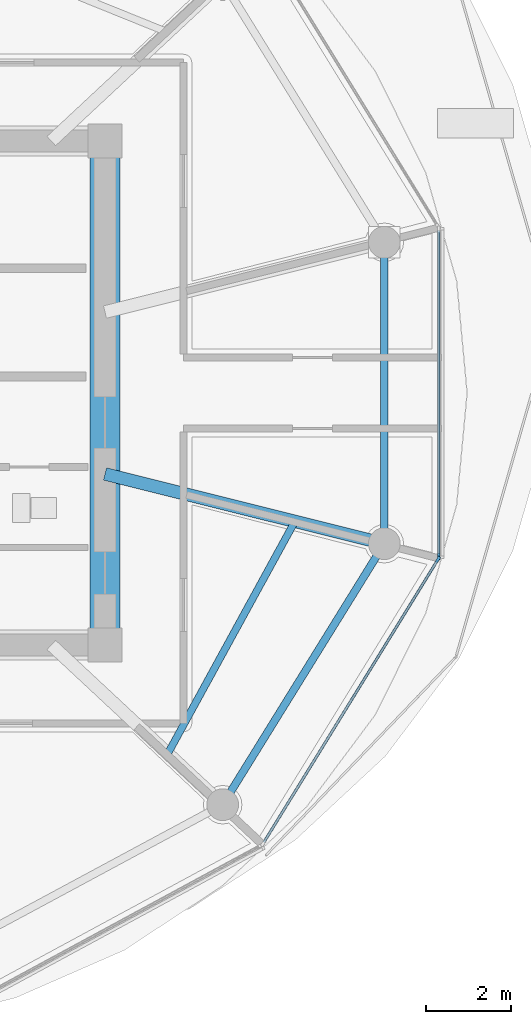
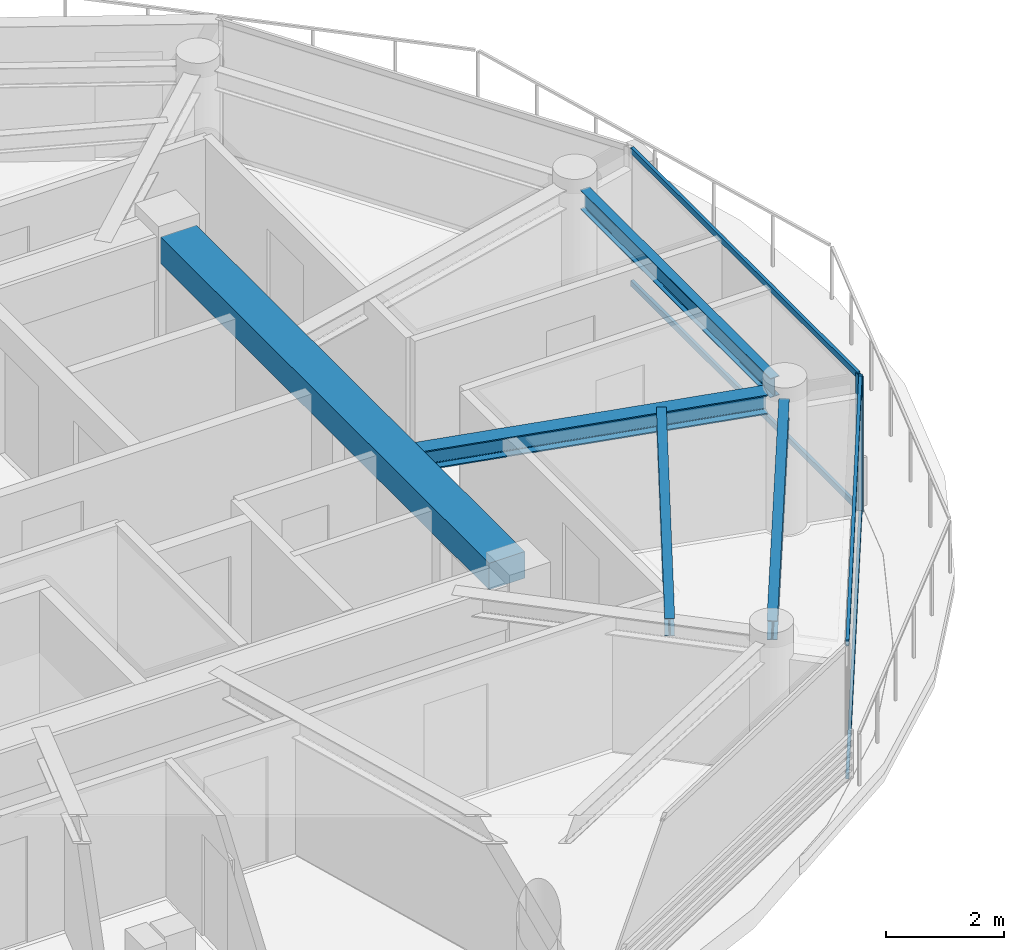
# One storey, part 3 of 28: 6 members, 5 beams, 2 elements without a shape of their own.
"""IFC4 building model written with IfcOpenShell, lengths in metres."""

from ifc_helpers import new_model, si_unit, direction, frame, origin, origin_2d, place, context, subcontext, project, spatial, rectangle, i_section, extrude, source, transform, mapped, material, layer, layer_set, material_profile, profile_set, type_object, type_shapes, element, aggregate, save


model = new_model("IFC4")

# Units and contexts
model_context = context("Model", 3, precision=1e-05, world=origin(), true_north=direction((0.0, 1.0)))
body_context = subcontext(model_context, "Body", "Model", "MODEL_VIEW")
ifc_project = project(units=[si_unit("LENGTHUNIT", "METRE"), si_unit("AREAUNIT", "SQUARE_METRE"), si_unit("VOLUMEUNIT", "CUBIC_METRE"), si_unit("PLANEANGLEUNIT", "RADIAN"), si_unit("MASSUNIT", "GRAM", prefix="KILO")], contexts=[model_context])

# Site, building, storey
site_placement = place(None, origin())
site = spatial("IfcSite", under=ifc_project, at=site_placement, CompositionType="ELEMENT")
building_placement = place(site_placement, origin())
building = spatial("IfcBuilding", under=site, at=building_placement, Name="Norrkilde Senior Care Towers", CompositionType="ELEMENT")
storey_placement = place(building_placement, frame((0.0, 0.0, 190.64990234375)))
storey = spatial("IfcBuildingStorey", under=building, at=storey_placement, Name="L59", CompositionType="ELEMENT", Elevation=190.64990234375)

# Beams
ifc_material_1 = material(Name="Concrete C60/75", Category="concrete")
ifc_material_profile_1 = material_profile(ifc_material_1, rectangle(XDim=0.699951171875, YDim=0.550048828125, at=origin_2d()), Name="RC BM 700x550")
ifc_profile_set_1 = profile_set([ifc_material_profile_1], Name="Concrete C60/75")
beam_type_1 = type_object("IfcBeamType", Name="Core Portal Coupling Beam 700x550", PredefinedType="USERDEFINED", material=ifc_profile_set_1)
shared_shape_1 = source(origin(), body_context, "Body", "SweptSolid", [
    extrude(rectangle(XDim=0.699951171875, YDim=0.550048828125, at=origin_2d()), origin(), (0.0, 0.0, 1.0), 11.14013671875),
])
type_shapes(beam_type_1, [shared_shape_1])
beam_1_placement = place(storey_placement, frame((-20.35009765625, -5.570068359375, 2.53515625), z_axis=(0.0, 1.0, 0.0), x_axis=(-1.0, 0.0, 0.0)))
element("IfcBeam", 1, at=beam_1_placement, inside=storey, type_object=beam_type_1, Name="L59 Core W E Coupling Girder", ObjectType="GIRDER", PredefinedType="USERDEFINED", context=body_context, shape_type="MappedRepresentation", body=[
    mapped(shared_shape_1, transform((0.0, 0.0, 0.0), x_axis=(1.0, 0.0, 0.0), y_axis=(0.0, 1.0, 0.0), z_axis=(0.0, 0.0, 1.0), scale=1.0)),
])
ifc_material_2 = material(Name="Steel S355", Category="steel")
ifc_material_profile_2 = material_profile(ifc_material_2, i_section(OverallWidth=0.179931640625, OverallDepth=0.39990234375, WebThickness=0.008544921875, FlangeThickness=0.013427734375, FilletRadius=0.02099609375, at=origin_2d()), Name="IPE 400")
ifc_profile_set_2 = profile_set([ifc_material_profile_2], Name="Steel S355")
beam_type_2 = type_object("IfcBeamType", Name="Perimeter Ring Spandrel Z4 IPE400", PredefinedType="SPANDREL", material=ifc_profile_set_2)
shared_shape_2 = source(origin(), body_context, "Body", "SweptSolid", [
    extrude(i_section(OverallWidth=0.179931640625, OverallDepth=0.39990234375, WebThickness=0.008544921875, FlangeThickness=0.013427734375, FilletRadius=0.02099609375, at=origin_2d()), origin(), (0.0, 0.0, 1.0), 6.58056640625),
])
beam_2_placement = place(storey_placement, frame((-17.393798828125, -9.43798828125, 2.610107421875), z_axis=(0.526529583789, 0.850156807533, 0.0), x_axis=(-0.850156807533, 0.526529583789, 0.0)))
element("IfcBeam", 2, at=beam_2_placement, inside=storey, type_object=beam_type_2, Name="L59 Drum W Perimeter Spandrel 11", PredefinedType="SPANDREL", context=body_context, shape_type="MappedRepresentation", body=[
    mapped(shared_shape_2, transform((0.0, 0.0, 0.0), x_axis=(1.0, 0.0, 0.0), y_axis=(0.0, 1.0, 0.0), z_axis=(0.0, 0.0, 1.0), scale=1.0)),
])
ifc_material_profile_3 = material_profile(ifc_material_2, i_section(OverallWidth=0.300048828125, OverallDepth=0.39990234375, WebThickness=0.013427734375, FlangeThickness=0.02392578125, FilletRadius=0.027099609375, at=origin_2d()), Name="HEB 400")
ifc_profile_set_3 = profile_set([ifc_material_profile_3], Name="Steel S355")
beam_type_3 = type_object("IfcBeamType", Name="Radial Floor Beam Z4 HEB400", PredefinedType="BEAM", material=ifc_profile_set_3)
shared_shape_3 = source(origin(), body_context, "Body", "SweptSolid", [
    extrude(i_section(OverallWidth=0.300048828125, OverallDepth=0.39990234375, WebThickness=0.013427734375, FlangeThickness=0.02392578125, FilletRadius=0.027099609375, at=origin_2d()), origin(), (0.0, 0.0, 1.0), 6.465087890625),
])
type_shapes(beam_type_3, [shared_shape_3])
beam_3_placement = place(storey_placement, frame((-20.35009765625, -1.910888671875, 2.610107421875), z_axis=(0.970195788563, -0.242322371758, 0.0), x_axis=(0.242322371758, 0.970195788563, 0.0)))
element("IfcBeam", 3, at=beam_3_placement, inside=storey, type_object=beam_type_3, Name="L59 Drum W Radial Floor Beam 12", PredefinedType="BEAM", context=body_context, shape_type="MappedRepresentation", body=[
    mapped(shared_shape_3, transform((0.0, 0.0, 0.0), x_axis=(1.0, 0.0, 0.0), y_axis=(0.0, 1.0, 0.0), z_axis=(0.0, 0.0, 1.0), scale=1.0)),
])
shared_shape_4 = source(origin(), body_context, "Body", "SweptSolid", [
    extrude(i_section(OverallWidth=0.179931640625, OverallDepth=0.39990234375, WebThickness=0.008544921875, FlangeThickness=0.013427734375, FilletRadius=0.02099609375, at=origin_2d()), origin(), (0.0, 0.0, 1.0), 6.44775390625),
])
type_shapes(beam_type_2, [shared_shape_2, shared_shape_4])
beam_4_placement = place(storey_placement, frame((-13.752685546875, -3.223876953125, 2.610107421875), z_axis=(0.0, 1.0, 0.0), x_axis=(-1.0, 0.0, 0.0)))
element("IfcBeam", 4, at=beam_4_placement, inside=storey, type_object=beam_type_2, Name="L59 Drum W Perimeter Spandrel 12", PredefinedType="SPANDREL", context=body_context, shape_type="MappedRepresentation", body=[
    mapped(shared_shape_4, transform((0.0, 0.0, 0.0), x_axis=(1.0, 0.0, 0.0), y_axis=(0.0, 1.0, 0.0), z_axis=(0.0, 0.0, 1.0), scale=1.0)),
])
ifc_material_profile_4 = material_profile(ifc_material_2, i_section(OverallWidth=0.169921875, OverallDepth=0.360107421875, WebThickness=0.008056640625, FlangeThickness=0.0126953125, FilletRadius=0.01806640625, at=origin_2d()), Name="IPE 360")
ifc_profile_set_4 = profile_set([ifc_material_profile_4], Name="Steel S355")
beam_type_4 = type_object("IfcBeamType", Name="Secondary Floor Joist IPE360", PredefinedType="JOIST", material=ifc_profile_set_4)
shared_shape_5 = source(origin(), body_context, "Body", "SweptSolid", [
    extrude(i_section(OverallWidth=0.169921875, OverallDepth=0.360107421875, WebThickness=0.008056640625, FlangeThickness=0.0126953125, FilletRadius=0.01806640625, at=origin_2d()), origin(), (0.0, 0.0, 1.0), 6.25146484375),
])
type_shapes(beam_type_4, [shared_shape_5])
beam_5_placement = place(storey_placement, frame((-18.865234375, -8.515380859375, 2.630126953125), z_axis=(0.480115752653, 0.877205143655, 0.0), x_axis=(-0.877205143655, 0.480115752653, 0.0)))
element("IfcBeam", 5, at=beam_5_placement, inside=storey, type_object=beam_type_4, Name="L59 Drum W Secondary Floor Joist 4", PredefinedType="JOIST", context=body_context, shape_type="MappedRepresentation", body=[
    mapped(shared_shape_5, transform((0.0, 0.0, 0.0), x_axis=(1.0, 0.0, 0.0), y_axis=(0.0, 1.0, 0.0), z_axis=(0.0, 0.0, 1.0), scale=1.0)),
])

# Curtain wall, member
ifc_material_3 = material(Name="Triple Low-E Insulated Glazing", Category="glass")
ifc_layer = layer(ifc_material_3, 0.18505859375)
ifc_layer_set = layer_set([ifc_layer], Name="Triple Low-E Insulated Glazing")
curtain_wall_type = type_object("IfcCurtainWallType", Name="CW6 Zone 4 Crown Pavilion Curtain Wall", PredefinedType="NOTDEFINED", material=ifc_layer_set)
curtain_wall_1_placement = place(storey_placement, origin())
curtain_wall_1 = element("IfcCurtainWall", 6, at=curtain_wall_1_placement, inside=storey, type_object=curtain_wall_type, Name="L59 Drum W Curtain Wall 10", PredefinedType="NOTDEFINED")
ifc_material_4 = material(Name="Anodised Aluminium", Category="aluminium")
ifc_material_profile_5 = material_profile(ifc_material_4, rectangle(XDim=0.06494140625, YDim=0.14990234375, at=origin_2d()), Name="ALU MULL 65x150")
ifc_profile_set_5 = profile_set([ifc_material_profile_5], Name="Anodised Aluminium")
member_type_1 = type_object("IfcMemberType", Name="Curtain Wall Mullion Z3-Z4 65x150", PredefinedType="MULLION", material=ifc_profile_set_5)
shared_shape_6 = source(origin(), body_context, "Body", "SweptSolid", [
    extrude(rectangle(XDim=0.06494140625, YDim=0.14990234375, at=origin_2d()), origin(), (0.0, 0.0, 1.0), 2.81005859375),
])
type_shapes(member_type_1, [shared_shape_6])
member_1_placement = place(storey_placement, frame((-12.48486328125, -3.9306640625, 0.0), z_axis=(0.0, 0.0, 1.0), x_axis=(0.851562727283, -0.524252726748, 0.0)))
member_1 = element("IfcMember", 7, at=member_1_placement, type_object=member_type_1, Name="CW-6 mullion 1", PredefinedType="MULLION", context=body_context, shape_type="MappedRepresentation", body=[
    mapped(shared_shape_6, transform((0.0, 0.0, 0.0), x_axis=(1.0, 0.0, 0.0), y_axis=(0.0, 1.0, 0.0), z_axis=(0.0, 0.0, 1.0), scale=1.0)),
])

curtain_wall_2_placement = place(storey_placement, origin())
curtain_wall_2 = element("IfcCurtainWall", 8, at=curtain_wall_2_placement, inside=storey, type_object=curtain_wall_type, Name="L59 Drum W Curtain Wall 11", PredefinedType="NOTDEFINED")
member_2_placement = place(storey_placement, frame((-12.468017578125, -3.87060546875, 0.0), z_axis=(0.0, 0.0, 1.0), x_axis=(1.0, 0.0, 0.0)))
member_2 = element("IfcMember", 9, at=member_2_placement, type_object=member_type_1, Name="CW-6 mullion 2", PredefinedType="MULLION", context=body_context, shape_type="MappedRepresentation", body=[
    mapped(shared_shape_6, transform((0.0, 0.0, 0.0), x_axis=(1.0, 0.0, 0.0), y_axis=(0.0, 1.0, 0.0), z_axis=(0.0, 0.0, 1.0), scale=1.0)),
])

# Member
ifc_material_profile_6 = material_profile(ifc_material_4, rectangle(XDim=0.06005859375, YDim=0.1201171875, at=origin_2d()), Name="ALU TRAN 60x120")
ifc_profile_set_6 = profile_set([ifc_material_profile_6], Name="Anodised Aluminium")
member_type_2 = type_object("IfcMemberType", Name="Curtain Wall Transom Typical 60x120", PredefinedType="USERDEFINED", material=ifc_profile_set_6)
shared_shape_7 = source(origin(), body_context, "Body", "SweptSolid", [
    extrude(rectangle(XDim=0.06005859375, YDim=0.1201171875, at=origin_2d()), origin(), (0.0, 0.0, 1.0), 7.808837890625),
])
member_3_placement = place(storey_placement, frame((-12.501953125, -3.958251953125, 0.030029296875), z_axis=(-0.524250924101, -0.851563837055, 0.0), x_axis=(0.851563837055, -0.524250924101, 0.0)))
member_3 = element("IfcMember", 10, at=member_3_placement, type_object=member_type_2, Name="CW-6 transom 1.1", ObjectType="TRANSOM", PredefinedType="USERDEFINED", context=body_context, shape_type="MappedRepresentation", body=[
    mapped(shared_shape_7, transform((0.0, 0.0, 0.0), x_axis=(1.0, 0.0, 0.0), y_axis=(0.0, 1.0, 0.0), z_axis=(0.0, 0.0, 1.0), scale=1.0)),
])

member_4_placement = place(storey_placement, frame((-12.501953125, -3.958251953125, 2.780029296875), z_axis=(-0.524250924101, -0.851563837055, 0.0), x_axis=(0.851563837055, -0.524250924101, 0.0)))
member_4 = element("IfcMember", 11, at=member_4_placement, type_object=member_type_2, Name="CW-6 transom 1.2", ObjectType="TRANSOM", PredefinedType="USERDEFINED", context=body_context, shape_type="MappedRepresentation", body=[
    mapped(shared_shape_7, transform((0.0, 0.0, 0.0), x_axis=(1.0, 0.0, 0.0), y_axis=(0.0, 1.0, 0.0), z_axis=(0.0, 0.0, 1.0), scale=1.0)),
])

aggregate(curtain_wall_1, [member_1, member_3, member_4])

shared_shape_8 = source(origin(), body_context, "Body", "SweptSolid", [
    extrude(rectangle(XDim=0.06005859375, YDim=0.1201171875, at=origin_2d()), origin(), (0.0, 0.0, 1.0), 7.67578125),
])
type_shapes(member_type_2, [shared_shape_7, shared_shape_8])
member_5_placement = place(storey_placement, frame((-12.468017578125, 3.837890625, 0.030029296875), z_axis=(0.0, -1.0, 0.0), x_axis=(1.0, 0.0, 0.0)))
member_5 = element("IfcMember", 12, at=member_5_placement, type_object=member_type_2, Name="CW-6 transom 1.1", ObjectType="TRANSOM", PredefinedType="USERDEFINED", context=body_context, shape_type="MappedRepresentation", body=[
    mapped(shared_shape_8, transform((0.0, 0.0, 0.0), x_axis=(1.0, 0.0, 0.0), y_axis=(0.0, 1.0, 0.0), z_axis=(0.0, 0.0, 1.0), scale=1.0)),
])

member_6_placement = place(storey_placement, frame((-12.468017578125, 3.837890625, 2.780029296875), z_axis=(0.0, -1.0, 0.0), x_axis=(1.0, 0.0, 0.0)))
member_6 = element("IfcMember", 13, at=member_6_placement, type_object=member_type_2, Name="CW-6 transom 1.2", ObjectType="TRANSOM", PredefinedType="USERDEFINED", context=body_context, shape_type="MappedRepresentation", body=[
    mapped(shared_shape_8, transform((0.0, 0.0, 0.0), x_axis=(1.0, 0.0, 0.0), y_axis=(0.0, 1.0, 0.0), z_axis=(0.0, 0.0, 1.0), scale=1.0)),
])

aggregate(curtain_wall_2, [member_2, member_5, member_6])

save(model, "model.ifc")
